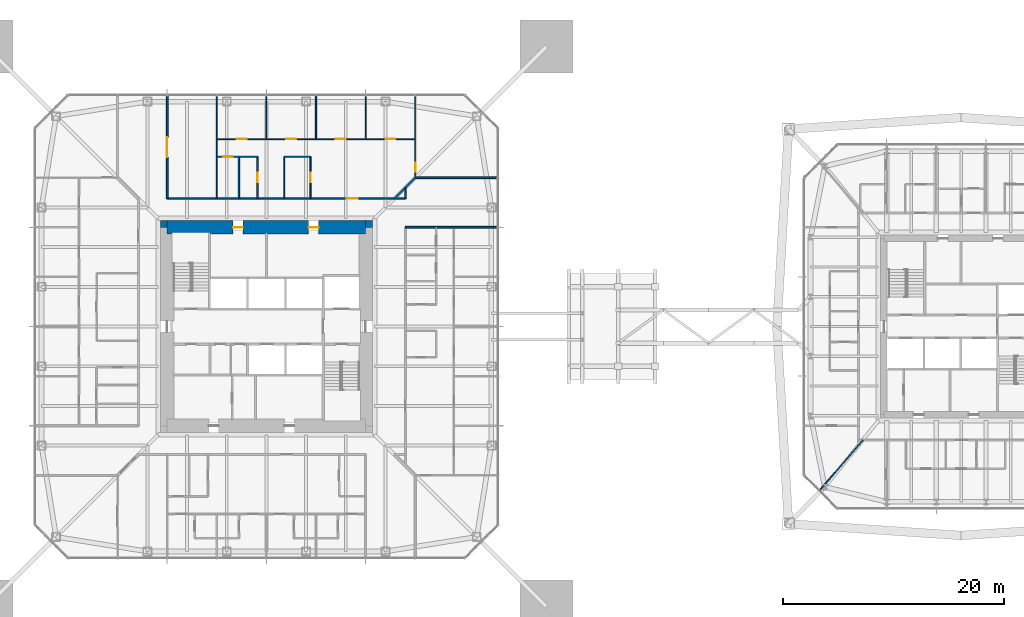
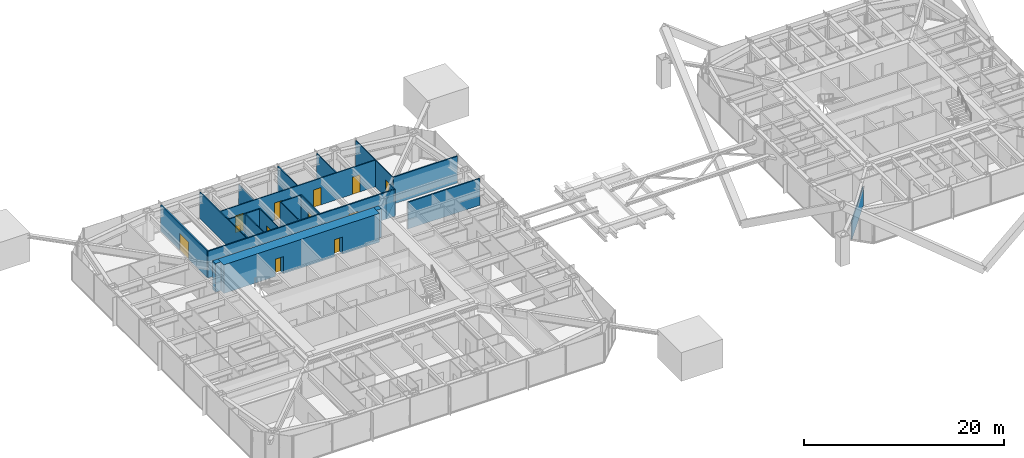
# One storey, part 18 of 27: 22 walls, 12 doors, 12 openings.
"""IFC4 building model written with IfcOpenShell, lengths in metres."""

import ifcopenshell
import ifcopenshell.guid

model = None  # the IFC model being written
_history = None  # IfcOwnerHistory: only IFC2X3 demands one
_inside = {}  # id of a spatial element -> (the spatial element, [elements in it])
_under = {}  # id of a project, library or spatial element -> (it, [spatial elements below it])
_declared = {}  # id of a project -> (the project, [libraries it declares])
_typed = {}  # id of a type object -> (the type object, [elements of that type])
_made_of = {}  # id of a material, layer set ... -> (it, [elements and type objects made of it])


def new_model(schema):
    """Start an empty IFC model of exactly this schema.

    Asked for "IFC4X3", IfcOpenShell would pick the latest addendum, in which some entities
    have other attributes; the version numbers below select the first issue.
    IFC2X3 requires an IfcOwnerHistory on every rooted entity: one is made here for all.
    """
    global model, _history
    if schema == "IFC4X3":
        model = ifcopenshell.file(schema_version=(4, 3, 0, 0))
    else:
        model = ifcopenshell.file(schema=schema)
    _inside.clear()
    _under.clear()
    _declared.clear()
    _typed.clear()
    _made_of.clear()
    _history = None
    if model.schema == "IFC2X3":
        org = make("IfcOrganization", Name="unknown")
        user = make(
            "IfcPersonAndOrganization",
            ThePerson=make("IfcPerson", FamilyName="unknown"),
            TheOrganization=org,
        )
        app = make(
            "IfcApplication",
            ApplicationDeveloper=org,
            Version="unknown",
            ApplicationFullName="unknown",
            ApplicationIdentifier="unknown",
        )
        _history = make(
            "IfcOwnerHistory",
            OwningUser=user,
            OwningApplication=app,
            ChangeAction="ADDED",
            CreationDate=0,
        )
    return model


def make(cls, **values):
    """One entity of the class cls with the attributes given. An attribute that is None is left unset."""
    return model.create_entity(
        cls, **{name: value for name, value in values.items() if value is not None}
    )


def rooted(cls, **values):
    """An entity with a GlobalId (a new one), such as an element, a storey or a relation."""
    return make(cls, GlobalId=ifcopenshell.guid.new(), OwnerHistory=_history, **values)


def si_unit(unit_type, name, prefix=None):
    """IfcSIUnit, for example si_unit("LENGTHUNIT", "METRE", prefix="MILLI")."""
    return make("IfcSIUnit", UnitType=unit_type, Prefix=prefix, Name=name)


def assignment(units):
    """IfcUnitAssignment: the units of a project."""
    return None if units is None else make("IfcUnitAssignment", Units=units)


def point(xyz):
    """IfcCartesianPoint."""
    return None if xyz is None else make("IfcCartesianPoint", Coordinates=xyz)


def direction(xyz):
    """IfcDirection."""
    return None if xyz is None else make("IfcDirection", DirectionRatios=xyz)


def frame(location, z_axis=None, x_axis=None):
    """IfcAxis2Placement3D, a coordinate frame: its origin and axes. An axis left out is left unset."""
    return make(
        "IfcAxis2Placement3D",
        Location=point(location),
        Axis=direction(z_axis),
        RefDirection=direction(x_axis),
    )


def frame_2d(location, x_axis=None):
    """IfcAxis2Placement2D, a coordinate frame in the plane: its origin and x axis."""
    return make(
        "IfcAxis2Placement2D", Location=point(location), RefDirection=direction(x_axis)
    )


def origin():
    """The frame at (0, 0, 0) with its axes left unset."""
    return frame((0.0, 0.0, 0.0))


def place(relative_to, where):
    """IfcLocalPlacement: puts the frame where relative to a parent placement (None: the world)."""
    return make(
        "IfcLocalPlacement", PlacementRelTo=relative_to, RelativePlacement=where
    )


def context(
    kind, dimensions, precision=None, world=None, true_north=None, identifier=None
):
    """IfcGeometricRepresentationContext, for example the 3D "Model" context."""
    return make(
        "IfcGeometricRepresentationContext",
        ContextIdentifier=identifier,
        ContextType=kind,
        CoordinateSpaceDimension=dimensions,
        Precision=precision,
        WorldCoordinateSystem=world,
        TrueNorth=true_north,
    )


def subcontext(parent, identifier, kind, view, scale=None):
    """IfcGeometricRepresentationSubContext, for example "Body" below "Model"."""
    return make(
        "IfcGeometricRepresentationSubContext",
        ContextIdentifier=identifier,
        ContextType=kind,
        ParentContext=parent,
        TargetScale=scale,
        TargetView=view,
    )


def project(units=None, contexts=None):
    """IfcProject with its units and contexts."""
    return rooted(
        "IfcProject",
        Name="project",
        RepresentationContexts=contexts,
        UnitsInContext=assignment(units),
    )


def spatial(cls, under=None, at=None, **own):
    """A site, building, storey or space (cls), placed at a placement, below another one or the project."""
    s = rooted(cls, ObjectPlacement=at, **own)
    if under is not None:
        _under.setdefault(under.id(), (under, []))[1].append(s)
    return s


def profile(cls, at=None, kind="AREA", **sizes):
    """A parametric profile (cls). Its sizes go by their IFC names, for example OverallWidth=200.0."""
    return make(cls, ProfileType=kind, Position=at, **sizes)


def rectangle(**sizes):
    """IfcRectangleProfileDef."""
    return profile("IfcRectangleProfileDef", **sizes)


def extrude(swept, where, along, depth):
    """IfcExtrudedAreaSolid: the profile swept, set in the frame where, extruded along a direction by depth."""
    return make(
        "IfcExtrudedAreaSolid",
        SweptArea=swept,
        Position=where,
        ExtrudedDirection=direction(along),
        Depth=depth,
    )


def shape(context_of_items, identifier, shape_type, items):
    """IfcShapeRepresentation: the items that make up one representation, for example the "Body"."""
    return make(
        "IfcShapeRepresentation",
        ContextOfItems=context_of_items,
        RepresentationIdentifier=identifier,
        RepresentationType=shape_type,
        Items=items,
    )


def material(Name=None, Category=None):
    """IfcMaterial."""
    return make("IfcMaterial", Name=Name, Category=Category)


def layer(
    of_material, thickness, ventilated=None, Name=None, Category=None, Priority=None
):
    """IfcMaterialLayer: one layer of a wall or slab, of a material (None: an air gap)."""
    return make(
        "IfcMaterialLayer",
        Material=of_material,
        LayerThickness=thickness,
        IsVentilated=ventilated,
        Name=Name,
        Category=Category,
        Priority=Priority,
    )


def layer_set(layers, Name=None):
    """IfcMaterialLayerSet."""
    return make("IfcMaterialLayerSet", MaterialLayers=layers, LayerSetName=Name)


def made_of(thing, what):
    """Note that an element or type object is made of a material, layer set ...; save() writes the relation."""
    if what is not None:
        _made_of.setdefault(what.id(), (what, []))[1].append(thing)
    return thing


def type_object(cls, material=None, **own):
    """A type object (cls), such as IfcWallType, which elements share."""
    return made_of(rooted(cls, **own), material)


def element(
    cls,
    number,
    at=None,
    inside=None,
    cuts=None,
    type_object=None,
    material=None,
    context=None,
    identifier="Body",
    shape_type=None,
    held_by="IfcProductDefinitionShape",
    body=None,
    shapes=None,
    **own,
):
    """One element of the class cls, such as IfcWall. Its Tag is "e" and its number.

    at: its placement. inside: the storey or other place that contains it. cuts: it is an
    opening in that element (IfcRelVoidsElement). A single representation is given by context,
    identifier, shape_type and body (its items); several are given by shapes. held_by: the class
    of the entity that holds the representations. save() writes the other relations.
    """
    e = rooted(cls, Tag="e%d" % number, ObjectPlacement=at, **own)
    if body is not None:
        shapes = [shape(context, identifier, shape_type, body)]
    if shapes is not None:
        e.Representation = make(held_by, Representations=shapes)
    if inside is not None:
        _inside.setdefault(inside.id(), (inside, []))[1].append(e)
    if cuts is not None:
        rooted(
            "IfcRelVoidsElement", RelatingBuildingElement=cuts, RelatedOpeningElement=e
        )
    if type_object is not None:
        _typed.setdefault(type_object.id(), (type_object, []))[1].append(e)
    return made_of(e, material)


def fill(opening, filler):
    """IfcRelFillsElement: the door or window that sits in an opening."""
    return rooted(
        "IfcRelFillsElement",
        RelatingOpeningElement=opening,
        RelatedBuildingElement=filler,
    )


def aggregate(whole, parts):
    """IfcRelAggregates: a whole, such as a stair, and the parts it consists of."""
    return rooted("IfcRelAggregates", RelatingObject=whole, RelatedObjects=parts)


def save(model, path):
    """Write the relations noted so far, then the file.

    IfcRelAggregates (storeys below a building ...), IfcRelContainedInSpatialStructure (elements
    in a storey), IfcRelDefinesByType, IfcRelAssociatesMaterial and IfcRelDeclares: one each for
    every whole, place, type object, material and project.
    """
    for whole, parts in _under.values():
        aggregate(whole, parts)
    for where, things in _inside.values():
        rooted(
            "IfcRelContainedInSpatialStructure",
            RelatedElements=things,
            RelatingStructure=where,
        )
    for kind, things in _typed.values():
        rooted("IfcRelDefinesByType", RelatedObjects=things, RelatingType=kind)
    for what, things in _made_of.values():
        rooted("IfcRelAssociatesMaterial", RelatedObjects=things, RelatingMaterial=what)
    for by, libraries in _declared.values():
        rooted("IfcRelDeclares", RelatingContext=by, RelatedDefinitions=libraries)
    model.write(path)


model = new_model("IFC4")

# Units and contexts
model_context = context("Model", 3, precision=1e-05, world=origin(), true_north=direction((0.0, 1.0)))
body_context = subcontext(model_context, "Body", "Model", "MODEL_VIEW")
ifc_project = project(units=[si_unit("LENGTHUNIT", "METRE"), si_unit("AREAUNIT", "SQUARE_METRE"), si_unit("VOLUMEUNIT", "CUBIC_METRE"), si_unit("PLANEANGLEUNIT", "RADIAN"), si_unit("MASSUNIT", "GRAM", prefix="KILO")], contexts=[model_context])

# Site, building, storey
site_placement = place(None, origin())
site = spatial("IfcSite", under=ifc_project, at=site_placement, CompositionType="ELEMENT")
building_placement = place(site_placement, origin())
building = spatial("IfcBuilding", under=site, at=building_placement, Name="Iwan Alto Co-Living Towers", CompositionType="ELEMENT")
storey_placement = place(building_placement, frame((0.0, 0.0, 94.5)))
storey = spatial("IfcBuildingStorey", under=building, at=storey_placement, Name="L25", CompositionType="ELEMENT", Elevation=94.5)

# Wall
ifc_material_1 = material(Name="Gypsum board")
ifc_layer_1 = layer(ifc_material_1, 0.02490234375, Name="Board", Category="Finish")
ifc_material_2 = material(Name="Steel ASTM A1003 ST33H cold-formed studs", Category="steel")
ifc_layer_2 = layer(ifc_material_2, 0.10009765625, Name="Studs", Category="Framing")
ifc_layer_3 = layer(ifc_material_1, 0.02490234375, Name="Board", Category="Finish")
ifc_layer_set_1 = layer_set([ifc_layer_1, ifc_layer_2, ifc_layer_3], Name="CORRIDOR WALL 150")
wall_type_1 = type_object("IfcWallType", Name="CORRIDOR WALL 150", PredefinedType="PARTITIONING", material=ifc_layer_set_1)
wall_1_placement = place(storey_placement, frame((12.60009765625, 9.0, 0.0), z_axis=(0.0, 0.0, 1.0), x_axis=(1.0, 0.0, 0.0)))
element("IfcWall", 1, at=wall_1_placement, inside=storey, type_object=wall_type_1, Name="Partition L25", PredefinedType="PARTITIONING", context=body_context, shape_type="SweptSolid", body=[
    extrude(rectangle(XDim=8.33984375, YDim=0.14990234375, at=frame_2d((4.169921875, 0.0))), origin(), (0.0, 0.0, 1.0), 3.27001953125),
])

# Wall, opening, door
wall_2_placement = place(storey_placement, frame((-9.0, 11.60009765625, 0.0), z_axis=(0.0, 0.0, 1.0), x_axis=(1.0, 0.0, 0.0)))
wall_2 = element("IfcWall", 2, at=wall_2_placement, inside=storey, type_object=wall_type_1, Name="Partition L25", PredefinedType="PARTITIONING", context=body_context, shape_type="SweptSolid", body=[
    extrude(rectangle(XDim=21.60009765625, YDim=0.14990234375, at=frame_2d((10.800048828125, 0.0))), origin(), (0.0, 0.0, 1.0), 3.27001953125),
])
opening_1_placement = place(wall_2_placement, frame((16.300048828125, 0.0, 0.0)))
opening_1 = element("IfcOpeningElement", 3, at=opening_1_placement, cuts=wall_2, Name="Opening D3", PredefinedType="OPENING", context=body_context, shape_type="SweptSolid", body=[
    extrude(rectangle(XDim=1.0, YDim=2.10009765625, at=frame_2d((0.5, 1.050048828125))), frame((0.0, 0.0849609375, 0.0), z_axis=(0.0, -1.0, 0.0), x_axis=(1.0, 0.0, 0.0)), (0.0, 0.0, 1.0), 0.169921875),
])
ifc_material_3 = material(Name="Steel frame with timber leaf", Category="steel")
door_type_1 = type_object("IfcDoorType", Name="FLAT ENTRANCE DOOR FD30S 1000X2100", OperationType="SINGLE_SWING_LEFT", PredefinedType="DOOR", material=ifc_material_3)
door_1_placement = place(opening_1_placement, origin())
door_1 = element("IfcDoor", 4, at=door_1_placement, inside=storey, type_object=door_type_1, Name="Cluster lounge door L25", OperationType="SINGLE_SWING_LEFT", OverallHeight=2.10009765625, OverallWidth=1.0, PredefinedType="DOOR", context=body_context, shape_type="SweptSolid", body=[
    extrude(rectangle(XDim=1.0, YDim=2.10009765625, at=frame_2d((0.5, 1.050048828125))), frame((0.0, 0.02490234375, 0.0), z_axis=(0.0, -1.0, 0.0), x_axis=(1.0, 0.0, 0.0)), (0.0, 0.0, 1.0), 0.050048828125),
])
fill(opening_1, door_1)

# Walls
wall_3_placement = place(storey_placement, frame((13.5, 13.5, 0.0), z_axis=(0.0, 0.0, 1.0), x_axis=(1.0, 0.0, 0.0)))
element("IfcWall", 5, at=wall_3_placement, inside=storey, type_object=wall_type_1, Name="Partition L25", PredefinedType="PARTITIONING", context=body_context, shape_type="SweptSolid", body=[
    extrude(rectangle(XDim=7.43994140625, YDim=0.14990234375, at=frame_2d((3.719970703125, 0.0))), origin(), (0.0, 0.0, 1.0), 3.27001953125),
])
wall_4_placement = place(storey_placement, frame((11.60009765625, 11.60009765625, 0.0), z_axis=(0.0, 0.0, 1.0), x_axis=(0.707106781187, 0.707106781187, 0.0)))
element("IfcWall", 6, at=wall_4_placement, inside=storey, type_object=wall_type_1, Name="Partition L25", PredefinedType="PARTITIONING", context=body_context, shape_type="SweptSolid", body=[
    extrude(rectangle(XDim=2.686767578125, YDim=0.14990234375, at=frame_2d((1.34326171875, 0.0))), origin(), (0.0, 0.0, 1.0), 2.343017578125),
])
wall_5_placement = place(storey_placement, frame((12.60009765625, 11.60009765625, 0.0), z_axis=(0.0, 0.0, 1.0), x_axis=(0.0, 1.0, 0.0)))
element("IfcWall", 7, at=wall_5_placement, inside=storey, type_object=wall_type_1, Name="Partition L25", PredefinedType="PARTITIONING", context=body_context, shape_type="SweptSolid", body=[
    extrude(rectangle(XDim=1.0, YDim=0.14990234375, at=frame_2d((0.5, 0.0))), origin(), (0.0, 0.0, 1.0), 3.27001953125),
])

# Wall, opening, door
wall_6_placement = place(storey_placement, frame((-9.0, 11.60009765625, 0.0), z_axis=(0.0, 0.0, 1.0), x_axis=(0.0, 1.0, 0.0)))
wall_6 = element("IfcWall", 8, at=wall_6_placement, inside=storey, type_object=wall_type_1, Name="Partition L25", PredefinedType="PARTITIONING", context=body_context, shape_type="SweptSolid", body=[
    extrude(rectangle(XDim=9.33984375, YDim=0.14990234375, at=frame_2d((4.669921875, 0.0))), origin(), (0.0, 0.0, 1.0), 3.27001953125),
])
opening_2_placement = place(wall_6_placement, frame((3.77001953125, 0.0, 0.0)))
opening_2 = element("IfcOpeningElement", 9, at=opening_2_placement, cuts=wall_6, Name="Opening D9", PredefinedType="OPENING", context=body_context, shape_type="SweptSolid", body=[
    extrude(rectangle(XDim=1.800048828125, YDim=2.10009765625, at=frame_2d((0.89990234375, 1.050048828125))), frame((0.0, 0.0849609375, 0.0), z_axis=(0.0, -1.0, 0.0), x_axis=(1.0, 0.0, 0.0)), (0.0, 0.0, 1.0), 0.169921875),
])
ifc_material_4 = material(Name="Steel frame with timber leaf", Category="steel")
door_type_2 = type_object("IfcDoorType", Name="LOUNGE DOOR FD30S 1800X2100", OperationType="DOUBLE_DOOR_SINGLE_SWING", PredefinedType="DOOR", material=ifc_material_4)
door_2_placement = place(opening_2_placement, frame((1.800048828125, 0.0, 0.0), z_axis=(0.0, 0.0, 1.0), x_axis=(-1.0, 0.0, 0.0)))
door_2 = element("IfcDoor", 10, at=door_2_placement, inside=storey, type_object=door_type_2, Name="Seminar room door L25", OperationType="DOUBLE_DOOR_SINGLE_SWING", OverallHeight=2.10009765625, OverallWidth=1.800048828125, PredefinedType="DOOR", context=body_context, shape_type="SweptSolid", body=[
    extrude(rectangle(XDim=1.800048828125, YDim=2.10009765625, at=frame_2d((0.89990234375, 1.050048828125))), frame((0.0, 0.02490234375, 0.0), z_axis=(0.0, -1.0, 0.0), x_axis=(1.0, 0.0, 0.0)), (0.0, 0.0, 1.0), 0.050048828125),
])
fill(opening_2, door_2)

# Wall
ifc_layer_4 = layer(ifc_material_1, 0.012451171875, Name="Board", Category="Finish")
ifc_layer_5 = layer(ifc_material_2, 0.074951171875, Name="Studs", Category="Framing")
ifc_layer_6 = layer(ifc_material_1, 0.012451171875, Name="Board", Category="Finish")
ifc_layer_set_2 = layer_set([ifc_layer_4, ifc_layer_5, ifc_layer_6], Name="PARTITION 100")
wall_type_2 = type_object("IfcWallType", Name="PARTITION 100", PredefinedType="PARTITIONING", material=ifc_layer_set_2)
wall_7_placement = place(storey_placement, frame((1.60009765625, 15.39990234375, 0.0), z_axis=(0.0, 0.0, 1.0), x_axis=(1.0, 0.0, 0.0)))
element("IfcWall", 11, at=wall_7_placement, inside=storey, type_object=wall_type_2, Name="Partition L25", PredefinedType="PARTITIONING", context=body_context, shape_type="SweptSolid", body=[
    extrude(rectangle(XDim=2.39990234375, YDim=0.10009765625, at=frame_2d((1.199951171875, 0.0))), origin(), (0.0, 0.0, 1.0), 3.27001953125),
])

# Wall, openings, doors
wall_8_placement = place(storey_placement, frame((-4.5, 17.0, 0.0), z_axis=(0.0, 0.0, 1.0), x_axis=(1.0, 0.0, 0.0)))
wall_8 = element("IfcWall", 12, at=wall_8_placement, inside=storey, type_object=wall_type_2, Name="Partition L25", PredefinedType="PARTITIONING", context=body_context, shape_type="SweptSolid", body=[
    extrude(rectangle(XDim=18.0, YDim=0.10009765625, at=frame_2d((9.0, 0.0))), origin(), (0.0, 0.0, 1.0), 3.27001953125),
])
opening_3_placement = place(wall_8_placement, frame((15.300048828125, 0.0, 0.0)))
opening_3 = element("IfcOpeningElement", 13, at=opening_3_placement, cuts=wall_8, Name="Opening D1", PredefinedType="OPENING", context=body_context, shape_type="SweptSolid", body=[
    extrude(rectangle(XDim=0.89990234375, YDim=2.10009765625, at=frame_2d((0.449951171875, 1.050048828125))), frame((0.0, 0.06005859375, 0.0), z_axis=(0.0, -1.0, 0.0), x_axis=(1.0, 0.0, 0.0)), (0.0, 0.0, 1.0), 0.1201171875),
])
opening_4_placement = place(wall_8_placement, frame((10.800048828125, 0.0, 0.0)))
opening_4 = element("IfcOpeningElement", 14, at=opening_4_placement, cuts=wall_8, Name="Opening D1", PredefinedType="OPENING", context=body_context, shape_type="SweptSolid", body=[
    extrude(rectangle(XDim=0.89990234375, YDim=2.10009765625, at=frame_2d((0.449951171875, 1.050048828125))), frame((0.0, 0.06005859375, 0.0), z_axis=(0.0, -1.0, 0.0), x_axis=(1.0, 0.0, 0.0)), (0.0, 0.0, 1.0), 0.1201171875),
])
opening_5_placement = place(wall_8_placement, frame((6.300048828125, 0.0, 0.0)))
opening_5 = element("IfcOpeningElement", 15, at=opening_5_placement, cuts=wall_8, Name="Opening D1", PredefinedType="OPENING", context=body_context, shape_type="SweptSolid", body=[
    extrude(rectangle(XDim=0.89990234375, YDim=2.10009765625, at=frame_2d((0.449951171875, 1.050048828125))), frame((0.0, 0.06005859375, 0.0), z_axis=(0.0, -1.0, 0.0), x_axis=(1.0, 0.0, 0.0)), (0.0, 0.0, 1.0), 0.1201171875),
])
opening_6_placement = place(wall_8_placement, frame((1.800048828125, 0.0, 0.0)))
opening_6 = element("IfcOpeningElement", 16, at=opening_6_placement, cuts=wall_8, Name="Opening D1", PredefinedType="OPENING", context=body_context, shape_type="SweptSolid", body=[
    extrude(rectangle(XDim=0.89990234375, YDim=2.10009765625, at=frame_2d((0.449951171875, 1.050048828125))), frame((0.0, 0.06005859375, 0.0), z_axis=(0.0, -1.0, 0.0), x_axis=(1.0, 0.0, 0.0)), (0.0, 0.0, 1.0), 0.1201171875),
])
ifc_material_5 = material(Name="Timber leaf in steel frame", Category="steel")
door_type_3 = type_object("IfcDoorType", Name="BEDROOM DOOR 900X2100", OperationType="SINGLE_SWING_LEFT", PredefinedType="DOOR", material=ifc_material_5)
door_3_placement = place(opening_3_placement, frame((0.89990234375, 0.0, 0.0), z_axis=(0.0, 0.0, 1.0), x_axis=(-1.0, 0.0, 0.0)))
door_3 = element("IfcDoor", 17, at=door_3_placement, inside=storey, type_object=door_type_3, Name="Study bedroom door L25", OperationType="SINGLE_SWING_LEFT", OverallHeight=2.10009765625, OverallWidth=0.89990234375, PredefinedType="DOOR", context=body_context, shape_type="SweptSolid", body=[
    extrude(rectangle(XDim=0.89990234375, YDim=2.10009765625, at=frame_2d((0.449951171875, 1.050048828125))), frame((0.0, 0.02490234375, 0.0), z_axis=(0.0, -1.0, 0.0), x_axis=(1.0, 0.0, 0.0)), (0.0, 0.0, 1.0), 0.050048828125),
])
fill(opening_3, door_3)
door_4_placement = place(opening_4_placement, frame((0.89990234375, 0.0, 0.0), z_axis=(0.0, 0.0, 1.0), x_axis=(-1.0, 0.0, 0.0)))
door_4 = element("IfcDoor", 18, at=door_4_placement, inside=storey, type_object=door_type_3, Name="Study bedroom door L25", OperationType="SINGLE_SWING_LEFT", OverallHeight=2.10009765625, OverallWidth=0.89990234375, PredefinedType="DOOR", context=body_context, shape_type="SweptSolid", body=[
    extrude(rectangle(XDim=0.89990234375, YDim=2.10009765625, at=frame_2d((0.449951171875, 1.050048828125))), frame((0.0, 0.02490234375, 0.0), z_axis=(0.0, -1.0, 0.0), x_axis=(1.0, 0.0, 0.0)), (0.0, 0.0, 1.0), 0.050048828125),
])
fill(opening_4, door_4)
door_5_placement = place(opening_5_placement, frame((0.89990234375, 0.0, 0.0), z_axis=(0.0, 0.0, 1.0), x_axis=(-1.0, 0.0, 0.0)))
door_5 = element("IfcDoor", 19, at=door_5_placement, inside=storey, type_object=door_type_3, Name="Study bedroom door L25", OperationType="SINGLE_SWING_RIGHT", OverallHeight=2.10009765625, OverallWidth=0.89990234375, PredefinedType="DOOR", context=body_context, shape_type="SweptSolid", body=[
    extrude(rectangle(XDim=0.89990234375, YDim=2.10009765625, at=frame_2d((0.449951171875, 1.050048828125))), frame((0.0, 0.02490234375, 0.0), z_axis=(0.0, -1.0, 0.0), x_axis=(1.0, 0.0, 0.0)), (0.0, 0.0, 1.0), 0.050048828125),
])
fill(opening_5, door_5)
door_6_placement = place(opening_6_placement, frame((0.89990234375, 0.0, 0.0), z_axis=(0.0, 0.0, 1.0), x_axis=(-1.0, 0.0, 0.0)))
door_6 = element("IfcDoor", 20, at=door_6_placement, inside=storey, type_object=door_type_3, Name="Study bedroom door L25", OperationType="SINGLE_SWING_RIGHT", OverallHeight=2.10009765625, OverallWidth=0.89990234375, PredefinedType="DOOR", context=body_context, shape_type="SweptSolid", body=[
    extrude(rectangle(XDim=0.89990234375, YDim=2.10009765625, at=frame_2d((0.449951171875, 1.050048828125))), frame((0.0, 0.02490234375, 0.0), z_axis=(0.0, -1.0, 0.0), x_axis=(1.0, 0.0, 0.0)), (0.0, 0.0, 1.0), 0.050048828125),
])
fill(opening_6, door_6)

# Wall
wall_9_placement = place(storey_placement, frame((50.179931640625, -14.844970703125, 0.0), z_axis=(0.0, 0.0, 1.0), x_axis=(0.653585997703, 0.756852260092, 0.0)))
element("IfcWall", 21, at=wall_9_placement, inside=storey, type_object=wall_type_2, Name="Partition L25", PredefinedType="PARTITIONING", context=body_context, shape_type="SweptSolid", body=[
    extrude(rectangle(XDim=6.005126953125, YDim=0.10009765625, at=frame_2d((3.00244140625, 0.0))), origin(), (0.0, 0.0, 1.0), 2.343017578125),
])

# Wall, opening, door
wall_10_placement = place(storey_placement, frame((13.5, 13.5, 0.0), z_axis=(0.0, 0.0, 1.0), x_axis=(0.0, 1.0, 0.0)))
wall_10 = element("IfcWall", 22, at=wall_10_placement, inside=storey, type_object=wall_type_2, Name="Partition L25", PredefinedType="PARTITIONING", context=body_context, shape_type="SweptSolid", body=[
    extrude(rectangle(XDim=7.43994140625, YDim=0.10009765625, at=frame_2d((3.719970703125, 0.0))), origin(), (0.0, 0.0, 1.0), 3.27001953125),
])
opening_7_placement = place(wall_10_placement, frame((0.52490234375, 0.0, 0.0)))
opening_7 = element("IfcOpeningElement", 23, at=opening_7_placement, cuts=wall_10, Name="Opening D2", PredefinedType="OPENING", context=body_context, shape_type="SweptSolid", body=[
    extrude(rectangle(XDim=0.85009765625, YDim=2.10009765625, at=frame_2d((0.425048828125, 1.050048828125))), frame((0.0, 0.06005859375, 0.0), z_axis=(0.0, -1.0, 0.0), x_axis=(1.0, 0.0, 0.0)), (0.0, 0.0, 1.0), 0.1201171875),
])
ifc_material_6 = material(Name="Timber leaf in steel frame", Category="steel")
door_type_4 = type_object("IfcDoorType", Name="ROOM DOOR 850X2100", OperationType="SINGLE_SWING_LEFT", PredefinedType="DOOR", material=ifc_material_6)
door_7_placement = place(opening_7_placement, origin())
door_7 = element("IfcDoor", 24, at=door_7_placement, inside=storey, type_object=door_type_4, Name="Shared kitchen and lounge door L25", OperationType="SINGLE_SWING_LEFT", OverallHeight=2.10009765625, OverallWidth=0.85009765625, PredefinedType="DOOR", context=body_context, shape_type="SweptSolid", body=[
    extrude(rectangle(XDim=0.85009765625, YDim=2.10009765625, at=frame_2d((0.425048828125, 1.050048828125))), frame((0.0, 0.02490234375, 0.0), z_axis=(0.0, -1.0, 0.0), x_axis=(1.0, 0.0, 0.0)), (0.0, 0.0, 1.0), 0.050048828125),
])
fill(opening_7, door_7)

# Walls
for number, where, z_axis, x_axis, name in (
    (25, (9.0, 17.0, 0.0), (0.0, 0.0, 1.0), (0.0, 1.0, 0.0), "Partition L25"),
    (26, (4.5, 17.0, 0.0), (0.0, 0.0, 1.0), (0.0, 1.0, 0.0), "Partition L25"),
):
    element("IfcWall", number, at=place(storey_placement, frame(where, z_axis=z_axis, x_axis=x_axis)), inside=storey, type_object=wall_type_2, Name=name, PredefinedType="PARTITIONING", context=body_context, shape_type="SweptSolid", body=[
        extrude(rectangle(XDim=3.93994140625, YDim=0.10009765625, at=frame_2d((1.969970703125, 0.0))), origin(), (0.0, 0.0, 1.0), 3.27001953125),
    ])

# Wall, opening, door
wall_11_placement = place(storey_placement, frame((4.0, 11.60009765625, 0.0), z_axis=(0.0, 0.0, 1.0), x_axis=(0.0, 1.0, 0.0)))
wall_11 = element("IfcWall", 27, at=wall_11_placement, inside=storey, type_object=wall_type_2, Name="Partition L25", PredefinedType="PARTITIONING", context=body_context, shape_type="SweptSolid", body=[
    extrude(rectangle(XDim=3.7998046875, YDim=0.10009765625, at=frame_2d((1.89990234375, 0.0))), origin(), (0.0, 0.0, 1.0), 3.27001953125),
])
opening_8_placement = place(wall_11_placement, frame((1.47509765625, 0.0, 0.0)))
opening_8 = element("IfcOpeningElement", 28, at=opening_8_placement, cuts=wall_11, Name="Opening D2", PredefinedType="OPENING", context=body_context, shape_type="SweptSolid", body=[
    extrude(rectangle(XDim=0.85009765625, YDim=2.10009765625, at=frame_2d((0.425048828125, 1.050048828125))), frame((0.0, 0.06005859375, 0.0), z_axis=(0.0, -1.0, 0.0), x_axis=(1.0, 0.0, 0.0)), (0.0, 0.0, 1.0), 0.1201171875),
])
door_8_placement = place(opening_8_placement, frame((0.85009765625, 0.0, 0.0), z_axis=(0.0, 0.0, 1.0), x_axis=(-1.0, 0.0, 0.0)))
door_8 = element("IfcDoor", 29, at=door_8_placement, inside=storey, type_object=door_type_4, Name="Study room door L25", OperationType="SINGLE_SWING_RIGHT", OverallHeight=2.10009765625, OverallWidth=0.85009765625, PredefinedType="DOOR", context=body_context, shape_type="SweptSolid", body=[
    extrude(rectangle(XDim=0.85009765625, YDim=2.10009765625, at=frame_2d((0.425048828125, 1.050048828125))), frame((0.0, 0.02490234375, 0.0), z_axis=(0.0, -1.0, 0.0), x_axis=(1.0, 0.0, 0.0)), (0.0, 0.0, 1.0), 0.050048828125),
])
fill(opening_8, door_8)

# Walls
wall_12_placement = place(storey_placement, frame((1.60009765625, 11.60009765625, 0.0), z_axis=(0.0, 0.0, 1.0), x_axis=(0.0, 1.0, 0.0)))
element("IfcWall", 30, at=wall_12_placement, inside=storey, type_object=wall_type_2, Name="Partition L25", PredefinedType="PARTITIONING", context=body_context, shape_type="SweptSolid", body=[
    extrude(rectangle(XDim=3.7998046875, YDim=0.10009765625, at=frame_2d((1.89990234375, 0.0))), origin(), (0.0, 0.0, 1.0), 3.27001953125),
])
wall_13_placement = place(storey_placement, frame((0.0, 17.0, 0.0), z_axis=(0.0, 0.0, 1.0), x_axis=(0.0, 1.0, 0.0)))
element("IfcWall", 31, at=wall_13_placement, inside=storey, type_object=wall_type_2, Name="Partition L25", PredefinedType="PARTITIONING", context=body_context, shape_type="SweptSolid", body=[
    extrude(rectangle(XDim=3.93994140625, YDim=0.10009765625, at=frame_2d((1.969970703125, 0.0))), origin(), (0.0, 0.0, 1.0), 2.586669921875),
])
wall_14_placement = place(storey_placement, frame((-4.5, 11.60009765625, 0.0), z_axis=(0.0, 0.0, 1.0), x_axis=(0.0, 1.0, 0.0)))
element("IfcWall", 32, at=wall_14_placement, inside=storey, type_object=wall_type_2, Name="Partition L25", PredefinedType="PARTITIONING", context=body_context, shape_type="SweptSolid", body=[
    extrude(rectangle(XDim=9.33984375, YDim=0.10009765625, at=frame_2d((4.669921875, 0.0))), origin(), (0.0, 0.0, 1.0), 3.27001953125),
])
ifc_material_7 = material(Name="Concrete f'c 70 MPa", Category="concrete")
ifc_layer_7 = layer(ifc_material_7, 0.60009765625)
ifc_layer_set_3 = layer_set([ifc_layer_7], Name="T1 CORE CORNER FILL 600")
wall_type_3 = type_object("IfcWallType", Name="T1 CORE CORNER FILL 600", PredefinedType="SOLIDWALL", material=ifc_layer_set_3)
for number, where, z_axis, x_axis, name in (
    (33, (9.0, 9.300048828125, 0.0), (0.0, 0.0, 1.0), (1.0, 0.0, 0.0), "T1 core corner NE L25"),
    (34, (-9.60009765625, 9.300048828125, 0.0), (0.0, 0.0, 1.0), (1.0, 0.0, 0.0), "T1 core corner NW L25"),
):
    element("IfcWall", number, at=place(storey_placement, frame(where, z_axis=z_axis, x_axis=x_axis)), inside=storey, type_object=wall_type_3, Name=name, PredefinedType="SOLIDWALL", context=body_context, shape_type="SweptSolid", body=[
        extrude(rectangle(XDim=0.60009765625, YDim=0.60009765625, at=frame_2d((0.300048828125, 0.0))), origin(), (0.0, 0.0, 1.0), 3.5),
    ])

# Wall, openings, doors
ifc_material_8 = material(Name="Concrete f'c 70 MPa", Category="concrete")
ifc_layer_8 = layer(ifc_material_8, 1.199951171875)
ifc_layer_set_4 = layer_set([ifc_layer_8], Name="T1 CORE WALL 1200")
wall_type_4 = type_object("IfcWallType", Name="T1 CORE WALL 1200", PredefinedType="SHEAR", material=ifc_layer_set_4)
wall_15_placement = place(storey_placement, frame((9.0, 9.0, 0.0), z_axis=(0.0, 0.0, 1.0), x_axis=(-1.0, 0.0, 0.0)))
wall_15 = element("IfcWall", 35, at=wall_15_placement, inside=storey, type_object=wall_type_4, Name="T1 core wall N L25", PredefinedType="SHEAR", context=body_context, shape_type="SweptSolid", body=[
    extrude(rectangle(XDim=18.0, YDim=1.199951171875, at=frame_2d((9.0, 0.0))), origin(), (0.0, 0.0, 1.0), 3.5),
])
opening_9_placement = place(wall_15_placement, frame((11.125, 0.0, 0.0)))
opening_9 = element("IfcOpeningElement", 36, at=opening_9_placement, cuts=wall_15, Name="Opening D8", PredefinedType="OPENING", context=body_context, shape_type="SweptSolid", body=[
    extrude(rectangle(XDim=0.89990234375, YDim=2.10009765625, at=frame_2d((0.449951171875, 1.050048828125))), frame((0.0, 0.60986328125, 0.0), z_axis=(0.0, -1.0, 0.0), x_axis=(1.0, 0.0, 0.0)), (0.0, 0.0, 1.0), 1.219970703125),
])
opening_10_placement = place(wall_15_placement, frame((4.27490234375, 0.0, 0.0)))
opening_10 = element("IfcOpeningElement", 37, at=opening_10_placement, cuts=wall_15, Name="Opening D8", PredefinedType="OPENING", context=body_context, shape_type="SweptSolid", body=[
    extrude(rectangle(XDim=0.89990234375, YDim=2.10009765625, at=frame_2d((0.449951171875, 1.050048828125))), frame((0.0, 0.60986328125, 0.0), z_axis=(0.0, -1.0, 0.0), x_axis=(1.0, 0.0, 0.0)), (0.0, 0.0, 1.0), 1.219970703125),
])
ifc_material_9 = material(Name="Steel frame with timber leaf", Category="steel")
door_type_5 = type_object("IfcDoorType", Name="RISER DOOR FD120 900X2100", OperationType="SINGLE_SWING_LEFT", PredefinedType="DOOR", material=ifc_material_9)
door_9_placement = place(opening_9_placement, origin())
door_9 = element("IfcDoor", 38, at=door_9_placement, inside=storey, type_object=door_type_5, Name="Electrical riser core door L25", OperationType="SINGLE_SWING_RIGHT", OverallHeight=2.10009765625, OverallWidth=0.89990234375, PredefinedType="DOOR", context=body_context, shape_type="SweptSolid", body=[
    extrude(rectangle(XDim=0.89990234375, YDim=2.10009765625, at=frame_2d((0.449951171875, 1.050048828125))), frame((0.0, 0.02490234375, 0.0), z_axis=(0.0, -1.0, 0.0), x_axis=(1.0, 0.0, 0.0)), (0.0, 0.0, 1.0), 0.050048828125),
])
fill(opening_9, door_9)
door_10_placement = place(opening_10_placement, origin())
door_10 = element("IfcDoor", 39, at=door_10_placement, inside=storey, type_object=door_type_5, Name="Water and drainage riser core door L25", OperationType="SINGLE_SWING_RIGHT", OverallHeight=2.10009765625, OverallWidth=0.89990234375, PredefinedType="DOOR", context=body_context, shape_type="SweptSolid", body=[
    extrude(rectangle(XDim=0.89990234375, YDim=2.10009765625, at=frame_2d((0.449951171875, 1.050048828125))), frame((0.0, 0.02490234375, 0.0), z_axis=(0.0, -1.0, 0.0), x_axis=(1.0, 0.0, 0.0)), (0.0, 0.0, 1.0), 0.050048828125),
])
fill(opening_10, door_10)

# Wall, opening, door
ifc_material_10 = material(Name="Cement board")
ifc_layer_9 = layer(ifc_material_10, 0.012451171875, Name="Board", Category="Finish")
ifc_layer_10 = layer(ifc_material_2, 0.094970703125, Name="Studs", Category="Framing")
ifc_layer_11 = layer(ifc_material_10, 0.012451171875, Name="Board", Category="Finish")
ifc_layer_set_5 = layer_set([ifc_layer_9, ifc_layer_10, ifc_layer_11], Name="WET AREA PARTITION 120")
wall_type_5 = type_object("IfcWallType", Name="WET AREA PARTITION 120", PredefinedType="PARTITIONING", material=ifc_layer_set_5)
wall_16_placement = place(storey_placement, frame((-4.5, 15.39990234375, 0.0), z_axis=(0.0, 0.0, 1.0), x_axis=(1.0, 0.0, 0.0)))
wall_16 = element("IfcWall", 40, at=wall_16_placement, inside=storey, type_object=wall_type_5, Name="Partition L25", PredefinedType="PARTITIONING", context=body_context, shape_type="SweptSolid", body=[
    extrude(rectangle(XDim=3.699951171875, YDim=0.1201171875, at=frame_2d((1.85009765625, 0.0))), origin(), (0.0, 0.0, 1.0), 3.27001953125),
])
opening_11_placement = place(wall_16_placement, frame((0.574951171875, 0.0, 0.0)))
opening_11 = element("IfcOpeningElement", 41, at=opening_11_placement, cuts=wall_16, Name="Opening D2", PredefinedType="OPENING", context=body_context, shape_type="SweptSolid", body=[
    extrude(rectangle(XDim=0.85009765625, YDim=2.10009765625, at=frame_2d((0.425048828125, 1.050048828125))), frame((0.0, 0.070068359375, 0.0), z_axis=(0.0, -1.0, 0.0), x_axis=(1.0, 0.0, 0.0)), (0.0, 0.0, 1.0), 0.14013671875),
])
door_11_placement = place(opening_11_placement, origin())
door_11 = element("IfcDoor", 42, at=door_11_placement, inside=storey, type_object=door_type_4, Name="Laundry door L25", OperationType="SINGLE_SWING_LEFT", OverallHeight=2.10009765625, OverallWidth=0.85009765625, PredefinedType="DOOR", context=body_context, shape_type="SweptSolid", body=[
    extrude(rectangle(XDim=0.85009765625, YDim=2.10009765625, at=frame_2d((0.425048828125, 1.050048828125))), frame((0.0, 0.02490234375, 0.0), z_axis=(0.0, -1.0, 0.0), x_axis=(1.0, 0.0, 0.0)), (0.0, 0.0, 1.0), 0.050048828125),
])
fill(opening_11, door_11)

wall_17_placement = place(storey_placement, frame((-0.800048828125, 11.60009765625, 0.0), z_axis=(0.0, 0.0, 1.0), x_axis=(0.0, 1.0, 0.0)))
wall_17 = element("IfcWall", 43, at=wall_17_placement, inside=storey, type_object=wall_type_5, Name="Partition L25", PredefinedType="PARTITIONING", context=body_context, shape_type="SweptSolid", body=[
    extrude(rectangle(XDim=3.7998046875, YDim=0.1201171875, at=frame_2d((1.89990234375, 0.0))), origin(), (0.0, 0.0, 1.0), 3.27001953125),
])
opening_12_placement = place(wall_17_placement, frame((1.47509765625, 0.0, 0.0)))
opening_12 = element("IfcOpeningElement", 44, at=opening_12_placement, cuts=wall_17, Name="Opening D2", PredefinedType="OPENING", context=body_context, shape_type="SweptSolid", body=[
    extrude(rectangle(XDim=0.85009765625, YDim=2.10009765625, at=frame_2d((0.425048828125, 1.050048828125))), frame((0.0, 0.070068359375, 0.0), z_axis=(0.0, -1.0, 0.0), x_axis=(1.0, 0.0, 0.0)), (0.0, 0.0, 1.0), 0.14013671875),
])
door_12_placement = place(opening_12_placement, frame((0.85009765625, 0.0, 0.0), z_axis=(0.0, 0.0, 1.0), x_axis=(-1.0, 0.0, 0.0)))
door_12 = element("IfcDoor", 45, at=door_12_placement, inside=storey, type_object=door_type_4, Name="Bathroom door L25", OperationType="SINGLE_SWING_RIGHT", OverallHeight=2.10009765625, OverallWidth=0.85009765625, PredefinedType="DOOR", context=body_context, shape_type="SweptSolid", body=[
    extrude(rectangle(XDim=0.85009765625, YDim=2.10009765625, at=frame_2d((0.425048828125, 1.050048828125))), frame((0.0, 0.02490234375, 0.0), z_axis=(0.0, -1.0, 0.0), x_axis=(1.0, 0.0, 0.0)), (0.0, 0.0, 1.0), 0.050048828125),
])
fill(opening_12, door_12)

# Wall
wall_18_placement = place(storey_placement, frame((-2.5, 11.60009765625, 0.0), z_axis=(0.0, 0.0, 1.0), x_axis=(0.0, 1.0, 0.0)))
element("IfcWall", 46, at=wall_18_placement, inside=storey, type_object=wall_type_5, Name="Partition L25", PredefinedType="PARTITIONING", context=body_context, shape_type="SweptSolid", body=[
    extrude(rectangle(XDim=3.7998046875, YDim=0.1201171875, at=frame_2d((1.89990234375, 0.0))), origin(), (0.0, 0.0, 1.0), 3.27001953125),
])

save(model, "model.ifc")
